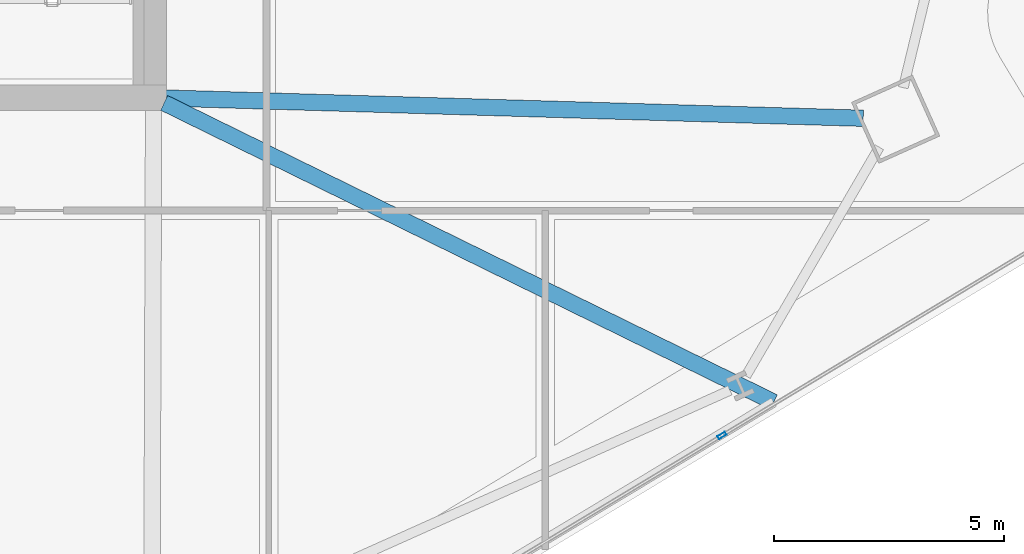
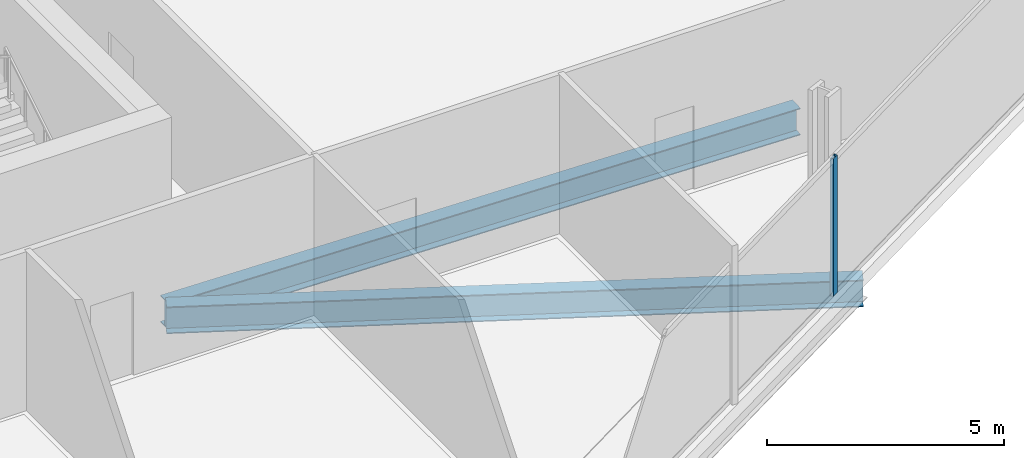
# One storey, part 8 of 30: 2 beams, 1 member, 1 element without a shape of its own.
"""IFC4 building model written with IfcOpenShell, lengths in metres."""

from ifc_helpers import new_model, si_unit, direction, frame, origin, origin_2d, place, context, subcontext, project, spatial, hollow_rectangle, i_section, extrude, material, material_profile, profile_set, type_object, element, aggregate, save


model = new_model("IFC4")

# Units and contexts
model_context = context("Model", 3, precision=1e-05, world=origin(), true_north=direction((0.0, 1.0)))
body_context = subcontext(model_context, "Body", "Model", "MODEL_VIEW")
ifc_project = project(units=[si_unit("LENGTHUNIT", "METRE"), si_unit("AREAUNIT", "SQUARE_METRE"), si_unit("VOLUMEUNIT", "CUBIC_METRE"), si_unit("PLANEANGLEUNIT", "RADIAN"), si_unit("MASSUNIT", "GRAM", prefix="KILO")], contexts=[model_context])

# Site, building, storey
site_placement = place(None, origin())
site = spatial("IfcSite", under=ifc_project, at=site_placement, CompositionType="ELEMENT")
building_placement = place(site_placement, origin())
building = spatial("IfcBuilding", under=site, at=building_placement, Name="Haldenkirk Collegiate Tower", CompositionType="ELEMENT")
storey_placement = place(building_placement, frame((0.0, 0.0, 131.699951171875)))
storey = spatial("IfcBuildingStorey", under=building, at=storey_placement, Name="L32", CompositionType="ELEMENT", Elevation=131.699951171875)

# Beams
ifc_material_1 = material(Name="Steel ASTM A992 Grade 50", Category="steel")
ifc_material_profile_1 = material_profile(ifc_material_1, i_section(OverallWidth=0.35498046875, OverallDepth=0.696044921875, WebThickness=0.015380859375, FlangeThickness=0.02490234375, at=origin_2d()), Name="W27X146")
ifc_profile_set_1 = profile_set([ifc_material_profile_1], Name="Steel ASTM A992 Grade 50")
beam_type = type_object("IfcBeamType", Name="BM-GIRDER-W27X146", PredefinedType="BEAM", material=ifc_profile_set_1)
beam_1_placement = place(storey_placement, frame((60.4072265625, 17.55322265625, -0.697998046875), z_axis=(-0.999579697841, 0.028990130448, 0.0), x_axis=(-0.028990130448, -0.999579697841, 0.0)))
element("IfcBeam", 1, at=beam_1_placement, inside=storey, type_object=beam_type, Name="L32 primary floor girder 02", PredefinedType="BEAM", context=body_context, shape_type="SweptSolid", body=[
    extrude(i_section(OverallWidth=0.35498046875, OverallDepth=0.696044921875, WebThickness=0.015380859375, FlangeThickness=0.02490234375, at=origin_2d()), origin(), (0.0, 0.0, 1.0), 15.15869140625),
])
beam_2_placement = place(storey_placement, frame((58.4658203125, 11.388916015625, -0.697998046875), z_axis=(-0.897648676293, 0.440711758351, 0.0), x_axis=(-0.440711758351, -0.897648676293, 0.0)))
element("IfcBeam", 2, at=beam_2_placement, inside=storey, type_object=beam_type, Name="L32 primary floor girder 07", PredefinedType="BEAM", context=body_context, shape_type="SweptSolid", body=[
    extrude(i_section(OverallWidth=0.35498046875, OverallDepth=0.696044921875, WebThickness=0.015380859375, FlangeThickness=0.02490234375, at=origin_2d()), origin(), (0.0, 0.0, 1.0), 14.74609375),
])

# Curtain wall, member
ifc_material_2 = material(Name="Anodised architectural bronze aluminium", Category="aluminium")
curtain_wall_type = type_object("IfcCurtainWallType", Name="CW-SYS2-CONCAVE", PredefinedType="USERDEFINED", material=ifc_material_2)
curtain_wall_placement = place(storey_placement, origin())
curtain_wall = element("IfcCurtainWall", 3, at=curtain_wall_placement, inside=storey, type_object=curtain_wall_type, Name="L32 South concave recessed bronze-anodised curtain wall", ObjectType="UNITISED CURTAIN WALL", PredefinedType="USERDEFINED")
ifc_material_profile_2 = material_profile(ifc_material_2, hollow_rectangle(XDim=0.074951171875, YDim=0.18994140625, WallThickness=0.0048828125, at=origin_2d()), Name="CW-MUL-02")
ifc_profile_set_2 = profile_set([ifc_material_profile_2], Name="Anodised architectural bronze aluminium")
member_type = type_object("IfcMemberType", Name="CW-MUL-02", PredefinedType="MULLION", material=ifc_profile_set_2)
member_placement = place(storey_placement, frame((57.342041015625, 10.665771484375, 0.0), z_axis=(0.0, 0.0, 1.0), x_axis=(0.515785392366, -0.856717823453, 0.0)))
member = element("IfcMember", 4, at=member_placement, type_object=member_type, Name="CW-02 mullion 2", PredefinedType="MULLION", context=body_context, shape_type="SweptSolid", body=[
    extrude(hollow_rectangle(XDim=0.074951171875, YDim=0.18994140625, WallThickness=0.0048828125, at=origin_2d()), origin(), (0.0, 0.0, 1.0), 3.551025390625),
])
aggregate(curtain_wall, [member])

save(model, "model.ifc")
